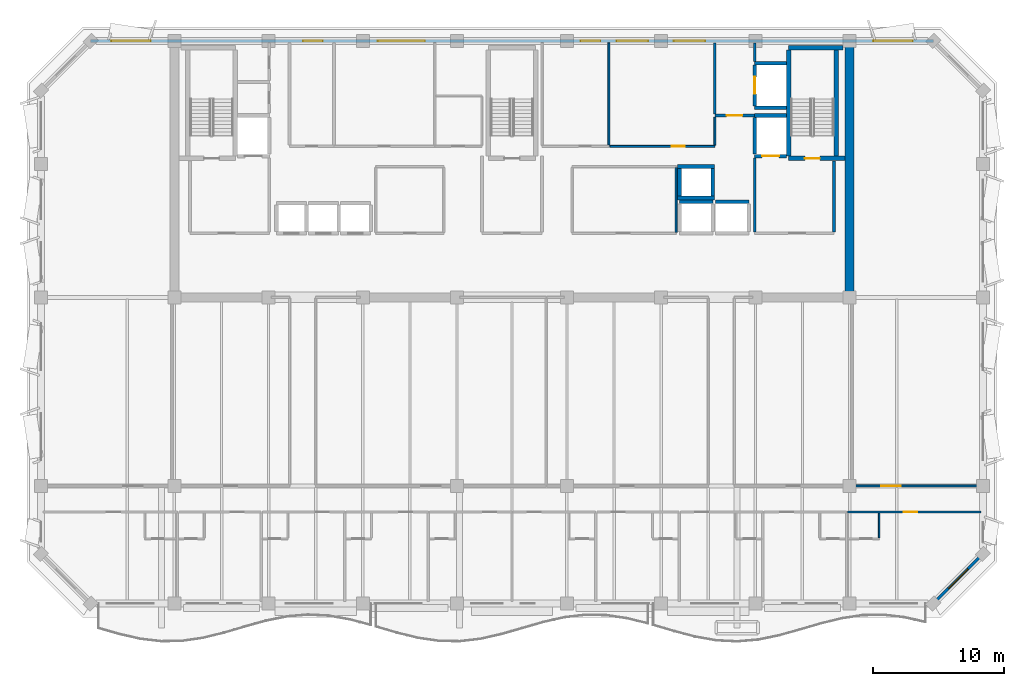
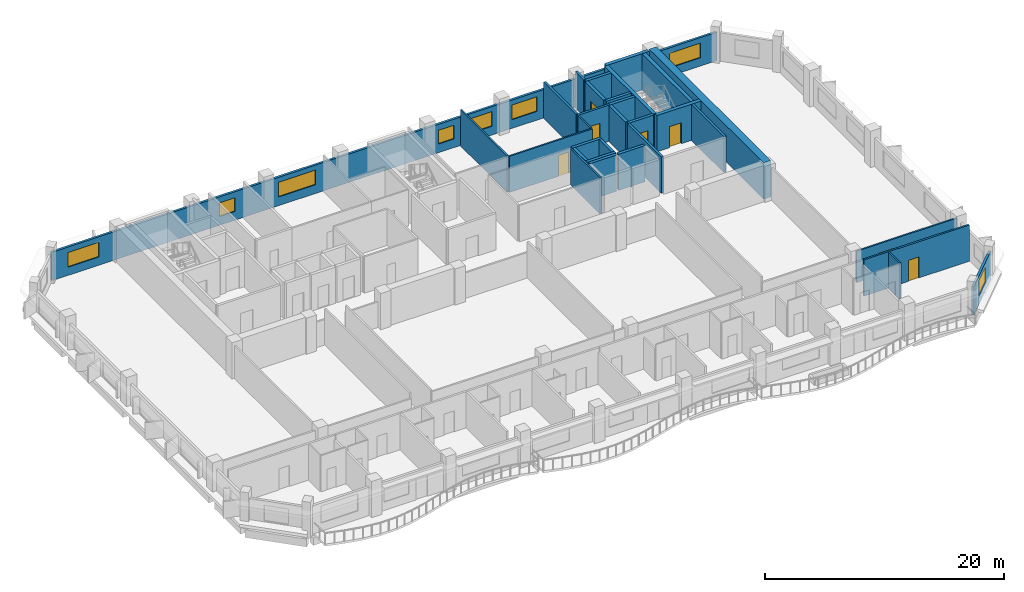
# One storey, part 7 of 11: 31 walls, 8 windows, 7 doors, 15 openings.
"""IFC4 building model written with IfcOpenShell, lengths in metres."""

from ifc_helpers import new_model, si_unit, direction, frame, frame_2d, origin, place, context, subcontext, project, spatial, rectangle, extrude, material, layer, layer_set, type_object, element, fill, save


model = new_model("IFC4")

# Units and contexts
model_context = context("Model", 3, precision=1e-05, world=origin(), true_north=direction((0.0, 1.0)))
body_context = subcontext(model_context, "Body", "Model", "MODEL_VIEW")
ifc_project = project(units=[si_unit("LENGTHUNIT", "METRE"), si_unit("AREAUNIT", "SQUARE_METRE"), si_unit("VOLUMEUNIT", "CUBIC_METRE"), si_unit("PLANEANGLEUNIT", "RADIAN"), si_unit("MASSUNIT", "GRAM", prefix="KILO")], contexts=[model_context])

# Site, building, storey
site_placement = place(None, origin())
site = spatial("IfcSite", under=ifc_project, at=site_placement, CompositionType="ELEMENT")
building_placement = place(site_placement, origin())
building = spatial("IfcBuilding", under=site, at=building_placement, Name="Kaelvorn Grand Hotel", CompositionType="ELEMENT")
storey_placement = place(building_placement, frame((0.0, 0.0, 233.10009765625)))
storey = spatial("IfcBuildingStorey", under=building, at=storey_placement, Name="L57", CompositionType="ELEMENT", Elevation=233.10009765625)

# Wall
ifc_material_1 = material(Name="Concrete C50/60", Category="concrete")
ifc_layer_1 = layer(ifc_material_1, 0.699951171875)
ifc_layer_set_1 = layer_set([ifc_layer_1], Name="Concrete C50/60")
wall_type_1 = type_object("IfcWallType", Name="WL-CORE-700-C50", PredefinedType="SHEAR", material=ifc_layer_set_1)
wall_1_placement = place(storey_placement, frame((67.800048828125, 29.39990234375, 0.0), z_axis=(0.0, 0.0, 1.0), x_axis=(0.0, 1.0, 0.0)))
element("IfcWall", 1, at=wall_1_placement, inside=storey, type_object=wall_type_1, Name="L57 Rear-Core East Shear Wall", PredefinedType="SHEAR", context=body_context, shape_type="SweptSolid", body=[
    extrude(rectangle(XDim=19.2001953125, YDim=0.699951171875, at=frame_2d((9.60009765625, 0.0))), origin(), (0.0, 0.0, 1.0), 3.7099609375),
])

# Wall, opening, window
ifc_material_2 = material(Name="Concrete C40/50", Category="concrete")
ifc_layer_2 = layer(ifc_material_2, 0.219970703125)
ifc_layer_set_2 = layer_set([ifc_layer_2], Name="Concrete C40/50")
wall_type_2 = type_object("IfcWallType", Name="WL-EXT-220-C40", PredefinedType="SOLIDWALL", material=ifc_layer_set_2)
wall_2_placement = place(storey_placement, frame((74.199951171875, 6.0, 0.0), z_axis=(0.0, 0.0, 1.0), x_axis=(0.707106781187, 0.707106781187, 0.0)))
wall_2 = element("IfcWall", 2, at=wall_2_placement, inside=storey, type_object=wall_type_2, Name="L57 Exterior Architectural Concrete Wall 02", PredefinedType="SOLIDWALL", context=body_context, shape_type="SweptSolid", body=[
    extrude(rectangle(XDim=5.3740234375, YDim=0.219970703125, at=frame_2d((2.68701171875, 0.0))), origin(), (0.0, 0.0, 1.0), 2.909912109375),
])
opening_1_placement = place(wall_2_placement, frame((1.636962890625, 0.0, 0.85009765625)))
opening_1 = element("IfcOpeningElement", 3, at=opening_1_placement, cuts=wall_2, Name="Opening W7", PredefinedType="OPENING", context=body_context, shape_type="SweptSolid", body=[
    extrude(rectangle(XDim=2.10009765625, YDim=1.60009765625, at=frame_2d((1.050048828125, 0.800048828125))), frame((0.0, 0.1201171875, 0.0), z_axis=(0.0, -1.0, 0.0), x_axis=(1.0, 0.0, 0.0)), (0.0, 0.0, 1.0), 0.239990234375),
])
ifc_material_3 = material(Name="Laminated Low-E Glass", Category="glass")
window_type_1 = type_object("IfcWindowType", Name="WIN-CHM-2100x1600", PartitioningType="SINGLE_PANEL", PredefinedType="WINDOW", material=ifc_material_3)
window_1_placement = place(opening_1_placement, origin())
window_1 = element("IfcWindow", 4, at=window_1_placement, inside=storey, type_object=window_type_1, Name="L57 Chamfered 45-Degree Corner Window SE", OverallHeight=1.60009765625, OverallWidth=2.10009765625, PartitioningType="SINGLE_PANEL", PredefinedType="WINDOW", context=body_context, shape_type="SweptSolid", body=[
    extrude(rectangle(XDim=2.10009765625, YDim=1.60009765625, at=frame_2d((1.050048828125, 0.800048828125))), frame((0.0, 0.030029296875, 0.0), z_axis=(0.0, -1.0, 0.0), x_axis=(1.0, 0.0, 0.0)), (0.0, 0.0, 1.0), 0.06005859375),
])
fill(opening_1, window_1)

# Wall, openings, windows
wall_3_placement = place(storey_placement, frame((74.199951171875, 49.0, 0.0), z_axis=(0.0, 0.0, 1.0), x_axis=(-1.0, 0.0, 0.0)))
wall_3 = element("IfcWall", 5, at=wall_3_placement, inside=storey, type_object=wall_type_2, Name="L57 Exterior Architectural Concrete Wall 05", PredefinedType="SOLIDWALL", context=body_context, shape_type="SweptSolid", body=[
    extrude(rectangle(XDim=64.39990234375, YDim=0.219970703125, at=frame_2d((32.199951171875, 0.0))), origin(), (0.0, 0.0, 1.0), 2.909912109375),
])
opening_2_placement = place(wall_3_placement, frame((59.81494140625, 0.0, 0.85009765625)))
opening_2 = element("IfcOpeningElement", 6, at=opening_2_placement, cuts=wall_3, Name="Opening W5", PredefinedType="OPENING", context=body_context, shape_type="SweptSolid", body=[
    extrude(rectangle(XDim=3.0, YDim=1.5, at=frame_2d((1.5, 0.75))), frame((0.0, 0.1201171875, 0.0), z_axis=(0.0, -1.0, 0.0), x_axis=(1.0, 0.0, 0.0)), (0.0, 0.0, 1.0), 0.239990234375),
])
opening_3_placement = place(wall_3_placement, frame((1.5849609375, 0.0, 0.85009765625)))
opening_3 = element("IfcOpeningElement", 7, at=opening_3_placement, cuts=wall_3, Name="Opening W5", PredefinedType="OPENING", context=body_context, shape_type="SweptSolid", body=[
    extrude(rectangle(XDim=3.0, YDim=1.5, at=frame_2d((1.5, 0.75))), frame((0.0, 0.1201171875, 0.0), z_axis=(0.0, -1.0, 0.0), x_axis=(1.0, 0.0, 0.0)), (0.0, 0.0, 1.0), 0.239990234375),
])
opening_4_placement = place(wall_3_placement, frame((46.6650390625, 0.0, 0.89990234375)))
opening_4 = element("IfcOpeningElement", 8, at=opening_4_placement, cuts=wall_3, Name="Opening W10", PredefinedType="OPENING", context=body_context, shape_type="SweptSolid", body=[
    extrude(rectangle(XDim=1.5, YDim=1.39990234375, at=frame_2d((0.75, 0.699951171875))), frame((0.0, 0.1201171875, 0.0), z_axis=(0.0, -1.0, 0.0), x_axis=(1.0, 0.0, 0.0)), (0.0, 0.0, 1.0), 0.239990234375),
])
opening_5_placement = place(wall_3_placement, frame((38.85009765625, 0.0, 0.89990234375)))
opening_5 = element("IfcOpeningElement", 9, at=opening_5_placement, cuts=wall_3, Name="Opening W3", PredefinedType="OPENING", context=body_context, shape_type="SweptSolid", body=[
    extrude(rectangle(XDim=3.60009765625, YDim=1.5, at=frame_2d((1.800048828125, 0.75))), frame((0.0, 0.1201171875, 0.0), z_axis=(0.0, -1.0, 0.0), x_axis=(1.0, 0.0, 0.0)), (0.0, 0.0, 1.0), 0.239990234375),
])
opening_6_placement = place(wall_3_placement, frame((25.449951171875, 0.0, 0.89990234375)))
opening_6 = element("IfcOpeningElement", 10, at=opening_6_placement, cuts=wall_3, Name="Opening W10", PredefinedType="OPENING", context=body_context, shape_type="SweptSolid", body=[
    extrude(rectangle(XDim=1.5, YDim=1.39990234375, at=frame_2d((0.75, 0.699951171875))), frame((0.0, 0.1201171875, 0.0), z_axis=(0.0, -1.0, 0.0), x_axis=(1.0, 0.0, 0.0)), (0.0, 0.0, 1.0), 0.239990234375),
])
opening_7_placement = place(wall_3_placement, frame((21.800048828125, 0.0, 0.89990234375)))
opening_7 = element("IfcOpeningElement", 11, at=opening_7_placement, cuts=wall_3, Name="Opening W6", PredefinedType="OPENING", context=body_context, shape_type="SweptSolid", body=[
    extrude(rectangle(XDim=2.39990234375, YDim=1.5, at=frame_2d((1.199951171875, 0.75))), frame((0.0, 0.1201171875, 0.0), z_axis=(0.0, -1.0, 0.0), x_axis=(1.0, 0.0, 0.0)), (0.0, 0.0, 1.0), 0.239990234375),
])
opening_8_placement = place(wall_3_placement, frame((17.43505859375, 0.0, 0.89990234375)))
opening_8 = element("IfcOpeningElement", 12, at=opening_8_placement, cuts=wall_3, Name="Opening W6", PredefinedType="OPENING", context=body_context, shape_type="SweptSolid", body=[
    extrude(rectangle(XDim=2.39990234375, YDim=1.5, at=frame_2d((1.199951171875, 0.75))), frame((0.0, 0.1201171875, 0.0), z_axis=(0.0, -1.0, 0.0), x_axis=(1.0, 0.0, 0.0)), (0.0, 0.0, 1.0), 0.239990234375),
])
window_type_2 = type_object("IfcWindowType", Name="WIN-COR-1500x1400", PartitioningType="SINGLE_PANEL", PredefinedType="WINDOW", material=ifc_material_3)
window_2_placement = place(opening_4_placement, origin())
window_2 = element("IfcWindow", 13, at=window_2_placement, inside=storey, type_object=window_type_2, Name="L57 North Core Clerestory Ribbon Window NC03", OverallHeight=1.39990234375, OverallWidth=1.5, PartitioningType="SINGLE_PANEL", PredefinedType="WINDOW", context=body_context, shape_type="SweptSolid", body=[
    extrude(rectangle(XDim=1.5, YDim=1.39990234375, at=frame_2d((0.75, 0.699951171875))), frame((0.0, 0.030029296875, 0.0), z_axis=(0.0, -1.0, 0.0), x_axis=(1.0, 0.0, 0.0)), (0.0, 0.0, 1.0), 0.06005859375),
])
fill(opening_4, window_2)
window_3_placement = place(opening_6_placement, origin())
window_3 = element("IfcWindow", 14, at=window_3_placement, inside=storey, type_object=window_type_2, Name="L57 North Core Clerestory Ribbon Window NC05", OverallHeight=1.39990234375, OverallWidth=1.5, PartitioningType="SINGLE_PANEL", PredefinedType="WINDOW", context=body_context, shape_type="SweptSolid", body=[
    extrude(rectangle(XDim=1.5, YDim=1.39990234375, at=frame_2d((0.75, 0.699951171875))), frame((0.0, 0.030029296875, 0.0), z_axis=(0.0, -1.0, 0.0), x_axis=(1.0, 0.0, 0.0)), (0.0, 0.0, 1.0), 0.06005859375),
])
fill(opening_6, window_3)
window_type_3 = type_object("IfcWindowType", Name="WIN-NTH-2400x1500", PartitioningType="SINGLE_PANEL", PredefinedType="WINDOW", material=ifc_material_3)
window_4_placement = place(opening_7_placement, origin())
window_4 = element("IfcWindow", 15, at=window_4_placement, inside=storey, type_object=window_type_3, Name="L57 North Core Clerestory Ribbon Window NC06", OverallHeight=1.5, OverallWidth=2.39990234375, PartitioningType="SINGLE_PANEL", PredefinedType="WINDOW", context=body_context, shape_type="SweptSolid", body=[
    extrude(rectangle(XDim=2.39990234375, YDim=1.5, at=frame_2d((1.199951171875, 0.75))), frame((0.0, 0.030029296875, 0.0), z_axis=(0.0, -1.0, 0.0), x_axis=(1.0, 0.0, 0.0)), (0.0, 0.0, 1.0), 0.06005859375),
])
fill(opening_7, window_4)
window_5_placement = place(opening_8_placement, origin())
window_5 = element("IfcWindow", 16, at=window_5_placement, inside=storey, type_object=window_type_3, Name="L57 North Core Clerestory Ribbon Window NC07", OverallHeight=1.5, OverallWidth=2.39990234375, PartitioningType="SINGLE_PANEL", PredefinedType="WINDOW", context=body_context, shape_type="SweptSolid", body=[
    extrude(rectangle(XDim=2.39990234375, YDim=1.5, at=frame_2d((1.199951171875, 0.75))), frame((0.0, 0.030029296875, 0.0), z_axis=(0.0, -1.0, 0.0), x_axis=(1.0, 0.0, 0.0)), (0.0, 0.0, 1.0), 0.06005859375),
])
fill(opening_8, window_5)
window_type_4 = type_object("IfcWindowType", Name="WIN-NTH-3000x1500", PartitioningType="SINGLE_PANEL", PredefinedType="WINDOW", material=ifc_material_3)
window_6_placement = place(opening_2_placement, origin())
window_6 = element("IfcWindow", 17, at=window_6_placement, inside=storey, type_object=window_type_4, Name="L57 North Wing Ribbon Window NW01", OverallHeight=1.5, OverallWidth=3.0, PartitioningType="SINGLE_PANEL", PredefinedType="WINDOW", context=body_context, shape_type="SweptSolid", body=[
    extrude(rectangle(XDim=3.0, YDim=1.5, at=frame_2d((1.5, 0.75))), frame((0.0, 0.030029296875, 0.0), z_axis=(0.0, -1.0, 0.0), x_axis=(1.0, 0.0, 0.0)), (0.0, 0.0, 1.0), 0.06005859375),
])
fill(opening_2, window_6)
window_7_placement = place(opening_3_placement, origin())
window_7 = element("IfcWindow", 18, at=window_7_placement, inside=storey, type_object=window_type_4, Name="L57 North Wing Ribbon Window NW02", OverallHeight=1.5, OverallWidth=3.0, PartitioningType="SINGLE_PANEL", PredefinedType="WINDOW", context=body_context, shape_type="SweptSolid", body=[
    extrude(rectangle(XDim=3.0, YDim=1.5, at=frame_2d((1.5, 0.75))), frame((0.0, 0.030029296875, 0.0), z_axis=(0.0, -1.0, 0.0), x_axis=(1.0, 0.0, 0.0)), (0.0, 0.0, 1.0), 0.06005859375),
])
fill(opening_3, window_7)
window_type_5 = type_object("IfcWindowType", Name="WIN-RIB-3600x1750", PartitioningType="SINGLE_PANEL", PredefinedType="WINDOW", material=ifc_material_3)
window_8_placement = place(opening_5_placement, origin())
window_8 = element("IfcWindow", 19, at=window_8_placement, inside=storey, type_object=window_type_5, Name="L57 North Core Clerestory Ribbon Window NC04", OverallHeight=1.5, OverallWidth=3.60009765625, PartitioningType="SINGLE_PANEL", PredefinedType="WINDOW", context=body_context, shape_type="SweptSolid", body=[
    extrude(rectangle(XDim=3.60009765625, YDim=1.5, at=frame_2d((1.800048828125, 0.75))), frame((0.0, 0.030029296875, 0.0), z_axis=(0.0, -1.0, 0.0), x_axis=(1.0, 0.0, 0.0)), (0.0, 0.0, 1.0), 0.06005859375),
])
fill(opening_5, window_8)

# Walls
ifc_material_4 = material(Name="Moisture-Resistant Tile & Stud Board")
ifc_layer_3 = layer(ifc_material_4, 0.125)
ifc_layer_set_3 = layer_set([ifc_layer_3], Name="Moisture-Resistant Tile & Stud Board")
wall_type_3 = type_object("IfcWallType", Name="WL-PART-125-WET", PredefinedType="PARTITIONING", material=ifc_layer_set_3)
wall_4_placement = place(storey_placement, frame((70.06005859375, 11.017578125, 0.0), z_axis=(0.0, 0.0, 1.0), x_axis=(0.0, 1.0, 0.0)))
element("IfcWall", 20, at=wall_4_placement, inside=storey, type_object=wall_type_3, Name="L57 En-suite Bathroom L57-10 E Partition", PredefinedType="PARTITIONING", context=body_context, shape_type="SweptSolid", body=[
    extrude(rectangle(XDim=1.887451171875, YDim=0.125, at=frame_2d((0.94384765625, 0.0))), origin(), (0.0, 0.0, 1.0), 3.7099609375),
])
ifc_material_5 = material(Name="Acoustic Gypsum & Stud Partition")
ifc_layer_4 = layer(ifc_material_5, 0.14990234375)
ifc_layer_set_4 = layer_set([ifc_layer_4], Name="Acoustic Gypsum & Stud Partition")
wall_type_4 = type_object("IfcWallType", Name="WL-PART-150-EI60", PredefinedType="PARTITIONING", material=ifc_layer_set_4)
wall_5_placement = place(storey_placement, frame((54.550048828125, 34.3798828125, 0.0), z_axis=(0.0, 0.0, 1.0), x_axis=(0.0, 1.0, 0.0)))
element("IfcWall", 21, at=wall_5_placement, inside=storey, type_object=wall_type_4, Name="L57 Sky Concierge & Butler Pantry Lounge E Partition", PredefinedType="PARTITIONING", context=body_context, shape_type="SweptSolid", body=[
    extrude(rectangle(XDim=4.940185546875, YDim=0.14990234375, at=frame_2d((2.47021484375, 0.0))), origin(), (0.0, 0.0, 1.0), 3.7099609375),
])
wall_6_placement = place(storey_placement, frame((49.39990234375, 41.030029296875, 0.0), z_axis=(0.0, 0.0, 1.0), x_axis=(0.0, 1.0, 0.0)))
element("IfcWall", 22, at=wall_6_placement, inside=storey, type_object=wall_type_4, Name="L57 Laundry Chute Vestibule E Partition", PredefinedType="PARTITIONING", context=body_context, shape_type="SweptSolid", body=[
    extrude(rectangle(XDim=7.820068359375, YDim=0.14990234375, at=frame_2d((3.91015625, 0.0))), origin(), (0.0, 0.0, 1.0), 3.7099609375),
])

# Wall, opening, door
wall_7_placement = place(storey_placement, frame((49.47998046875, 40.949951171875, 0.0), z_axis=(0.0, 0.0, 1.0), x_axis=(1.0, 0.0, 0.0)))
wall_7 = element("IfcWall", 23, at=wall_7_placement, inside=storey, type_object=wall_type_4, Name="L57 Butler Servery Pantry S Partition", PredefinedType="PARTITIONING", context=body_context, shape_type="SweptSolid", body=[
    extrude(rectangle(XDim=8.02001953125, YDim=0.14990234375, at=frame_2d((4.010009765625, 0.0))), origin(), (0.0, 0.0, 1.0), 3.7099609375),
])
opening_9_placement = place(wall_7_placement, frame((4.719970703125, 0.0, 0.0)))
opening_9 = element("IfcOpeningElement", 24, at=opening_9_placement, cuts=wall_7, Name="Opening DI3", PredefinedType="OPENING", context=body_context, shape_type="SweptSolid", body=[
    extrude(rectangle(XDim=1.0, YDim=2.14990234375, at=frame_2d((0.5, 1.074951171875))), frame((0.0, 0.0849609375, 0.0), z_axis=(0.0, -1.0, 0.0), x_axis=(1.0, 0.0, 0.0)), (0.0, 0.0, 1.0), 0.169921875),
])
ifc_material_6 = material(Name="Timber Veneer Fire Leaf", Category="wood")
door_type_1 = type_object("IfcDoorType", Name="DR-INT-GUEST-1000x2150", OperationType="NOTDEFINED", PredefinedType="DOOR", material=ifc_material_6)
door_1_placement = place(opening_9_placement, origin())
door_1 = element("IfcDoor", 25, at=door_1_placement, inside=storey, type_object=door_type_1, Name="L57 Butler Servery Pantry Door", OperationType="SINGLE_SWING_RIGHT", OverallHeight=2.14990234375, OverallWidth=1.0, PredefinedType="DOOR", context=body_context, shape_type="SweptSolid", body=[
    extrude(rectangle(XDim=1.0, YDim=2.14990234375, at=frame_2d((0.5, 1.074951171875))), frame((0.0, 0.02490234375, 0.0), z_axis=(0.0, -1.0, 0.0), x_axis=(1.0, 0.0, 0.0)), (0.0, 0.0, 1.0), 0.050048828125),
])
fill(opening_9, door_1)

# Wall
wall_8_placement = place(storey_placement, frame((57.5, 41.030029296875, 0.0), z_axis=(0.0, 0.0, 1.0), x_axis=(0.0, 1.0, 0.0)))
element("IfcWall", 26, at=wall_8_placement, inside=storey, type_object=wall_type_4, Name="L57 Butler Servery Pantry E Partition", PredefinedType="PARTITIONING", context=body_context, shape_type="SweptSolid", body=[
    extrude(rectangle(XDim=2.155029296875, YDim=0.14990234375, at=frame_2d((1.07763671875, 0.0))), origin(), (0.0, 0.0, 1.0), 3.7099609375),
])

# Wall, opening, door
wall_9_placement = place(storey_placement, frame((68.080078125, 15.0, 0.0), z_axis=(0.0, 0.0, 1.0), x_axis=(1.0, 0.0, 0.0)))
wall_9 = element("IfcWall", 27, at=wall_9_placement, inside=storey, type_object=wall_type_4, Name="L57 East Sky Executive Meeting Boardroom S Partition", PredefinedType="PARTITIONING", context=body_context, shape_type="SweptSolid", body=[
    extrude(rectangle(XDim=9.77001953125, YDim=0.14990234375, at=frame_2d((4.885009765625, 0.0))), origin(), (0.0, 0.0, 1.0), 3.2099609375),
])
opening_10_placement = place(wall_9_placement, frame((2.139892578125, 0.0, 0.0)))
opening_10 = element("IfcOpeningElement", 28, at=opening_10_placement, cuts=wall_9, Name="Opening DI5", PredefinedType="OPENING", context=body_context, shape_type="SweptSolid", body=[
    extrude(rectangle(XDim=1.5, YDim=2.25, at=frame_2d((0.75, 1.125))), frame((0.0, 0.0849609375, 0.0), z_axis=(0.0, -1.0, 0.0), x_axis=(1.0, 0.0, 0.0)), (0.0, 0.0, 1.0), 0.169921875),
])
door_type_2 = type_object("IfcDoorType", Name="DR-INT-SALON-1500x2250", OperationType="DOUBLE_DOOR_SINGLE_SWING", PredefinedType="DOOR", material=ifc_material_6)
door_2_placement = place(opening_10_placement, origin())
door_2 = element("IfcDoor", 29, at=door_2_placement, inside=storey, type_object=door_type_2, Name="L57 East Sky Executive Meeting Boardroom Door", OperationType="DOUBLE_DOOR_SINGLE_SWING", OverallHeight=2.25, OverallWidth=1.5, PredefinedType="DOOR", context=body_context, shape_type="SweptSolid", body=[
    extrude(rectangle(XDim=1.5, YDim=2.25, at=frame_2d((0.75, 1.125))), frame((0.0, 0.02490234375, 0.0), z_axis=(0.0, -1.0, 0.0), x_axis=(1.0, 0.0, 0.0)), (0.0, 0.0, 1.0), 0.050048828125),
])
fill(opening_10, door_2)

ifc_layer_5 = layer(ifc_material_5, 0.179931640625)
ifc_layer_set_5 = layer_set([ifc_layer_5], Name="Acoustic Gypsum & Stud Partition")
wall_type_5 = type_object("IfcWallType", Name="WL-PART-180-EI60", PredefinedType="PARTITIONING", material=ifc_layer_set_5)
wall_10_placement = place(storey_placement, frame((67.655029296875, 13.0, 0.0), z_axis=(0.0, 0.0, 1.0), x_axis=(1.0, 0.0, 0.0)))
wall_10 = element("IfcWall", 30, at=wall_10_placement, inside=storey, type_object=wall_type_5, Name="L57 Ambassador Guest Room L57-10 N Partition", PredefinedType="PARTITIONING", context=body_context, shape_type="SweptSolid", body=[
    extrude(rectangle(XDim=10.195068359375, YDim=0.179931640625, at=frame_2d((5.09765625, 0.0))), origin(), (0.0, 0.0, 1.0), 3.7099609375),
])
opening_11_placement = place(wall_10_placement, frame((4.300048828125, 0.0, 0.0)))
opening_11 = element("IfcOpeningElement", 31, at=opening_11_placement, cuts=wall_10, Name="Opening DI3", PredefinedType="OPENING", context=body_context, shape_type="SweptSolid", body=[
    extrude(rectangle(XDim=1.0, YDim=2.14990234375, at=frame_2d((0.5, 1.074951171875))), frame((0.0, 0.10009765625, 0.0), z_axis=(0.0, -1.0, 0.0), x_axis=(1.0, 0.0, 0.0)), (0.0, 0.0, 1.0), 0.199951171875),
])
door_3_placement = place(opening_11_placement, origin())
door_3 = element("IfcDoor", 32, at=door_3_placement, inside=storey, type_object=door_type_1, Name="L57 Ambassador Guest Room L57-10 Door", OperationType="SINGLE_SWING_LEFT", OverallHeight=2.14990234375, OverallWidth=1.0, PredefinedType="DOOR", context=body_context, shape_type="SweptSolid", body=[
    extrude(rectangle(XDim=1.0, YDim=2.14990234375, at=frame_2d((0.5, 1.074951171875))), frame((0.0, 0.02490234375, 0.0), z_axis=(0.0, -1.0, 0.0), x_axis=(1.0, 0.0, 0.0)), (0.0, 0.0, 1.0), 0.050048828125),
])
fill(opening_11, door_3)

# Walls
ifc_layer_6 = layer(ifc_material_2, 0.219970703125)
ifc_layer_set_6 = layer_set([ifc_layer_6], Name="Concrete C40/50")
wall_type_6 = type_object("IfcWallType", Name="WL-PART-220-EI120", PredefinedType="PARTITIONING", material=ifc_layer_set_6)
wall_11_placement = place(storey_placement, frame((60.550048828125, 34.4150390625, 0.0), z_axis=(0.0, 0.0, 1.0), x_axis=(0.0, 1.0, 0.0)))
element("IfcWall", 33, at=wall_11_placement, inside=storey, type_object=wall_type_6, Name="L57 Firefighting Lift Lobby 2 W Partition", PredefinedType="PARTITIONING", context=body_context, shape_type="SweptSolid", body=[
    extrude(rectangle(XDim=5.639892578125, YDim=0.219970703125, at=frame_2d((2.81982421875, 0.0))), origin(), (0.0, 0.0, 1.0), 3.7099609375),
])
wall_12_placement = place(storey_placement, frame((66.60009765625, 34.4150390625, 0.0), z_axis=(0.0, 0.0, 1.0), x_axis=(0.0, 1.0, 0.0)))
element("IfcWall", 34, at=wall_12_placement, inside=storey, type_object=wall_type_6, Name="L57 Firefighting Lift Lobby 2 E Partition", PredefinedType="PARTITIONING", context=body_context, shape_type="SweptSolid", body=[
    extrude(rectangle(XDim=5.429931640625, YDim=0.219970703125, at=frame_2d((2.71484375, 0.0))), origin(), (0.0, 0.0, 1.0), 3.7099609375),
])

# Wall, opening, door
wall_13_placement = place(storey_placement, frame((57.5, 43.300048828125, 0.0), z_axis=(0.0, 0.0, 1.0), x_axis=(1.0, 0.0, 0.0)))
wall_13 = element("IfcWall", 35, at=wall_13_placement, inside=storey, type_object=wall_type_6, Name="L57 Service Lift Lobby S Partition", PredefinedType="PARTITIONING", context=body_context, shape_type="SweptSolid", body=[
    extrude(rectangle(XDim=3.0400390625, YDim=0.219970703125, at=frame_2d((1.52001953125, 0.0))), origin(), (0.0, 0.0, 1.0), 3.7099609375),
])
opening_12_placement = place(wall_13_placement, frame((0.89990234375, 0.0, 0.0)))
opening_12 = element("IfcOpeningElement", 36, at=opening_12_placement, cuts=wall_13, Name="Opening DI2", PredefinedType="OPENING", context=body_context, shape_type="SweptSolid", body=[
    extrude(rectangle(XDim=1.199951171875, YDim=2.14990234375, at=frame_2d((0.60009765625, 1.074951171875))), frame((0.0, 0.1201171875, 0.0), z_axis=(0.0, -1.0, 0.0), x_axis=(1.0, 0.0, 0.0)), (0.0, 0.0, 1.0), 0.239990234375),
])
door_type_3 = type_object("IfcDoorType", Name="DR-INT-FFLOB-1200x2150", OperationType="NOTDEFINED", PredefinedType="DOOR", material=ifc_material_6)
door_4_placement = place(opening_12_placement, origin())
door_4 = element("IfcDoor", 37, at=door_4_placement, inside=storey, type_object=door_type_3, Name="L57 Service Lift Lobby Door", OperationType="SINGLE_SWING_LEFT", OverallHeight=2.14990234375, OverallWidth=1.199951171875, PredefinedType="DOOR", context=body_context, shape_type="SweptSolid", body=[
    extrude(rectangle(XDim=1.199951171875, YDim=2.14990234375, at=frame_2d((0.60009765625, 1.074951171875))), frame((0.0, 0.02490234375, 0.0), z_axis=(0.0, -1.0, 0.0), x_axis=(1.0, 0.0, 0.0)), (0.0, 0.0, 1.0), 0.050048828125),
])
fill(opening_12, door_4)

# Walls
wall_14_placement = place(storey_placement, frame((57.5, 43.4150390625, 0.0), z_axis=(0.0, 0.0, 1.0), x_axis=(0.0, 1.0, 0.0)))
element("IfcWall", 38, at=wall_14_placement, inside=storey, type_object=wall_type_6, Name="L57 Service Lift Lobby W Partition", PredefinedType="PARTITIONING", context=body_context, shape_type="SweptSolid", body=[
    extrude(rectangle(XDim=5.43505859375, YDim=0.219970703125, at=frame_2d((2.717529296875, 0.0))), origin(), (0.0, 0.0, 1.0), 3.7099609375),
])
wall_15_placement = place(storey_placement, frame((60.550048828125, 47.445068359375, 0.0), z_axis=(0.0, 0.0, 1.0), x_axis=(0.0, 1.0, 0.0)))
element("IfcWall", 39, at=wall_15_placement, inside=storey, type_object=wall_type_6, Name="L57 Service Lift Lobby E Partition", PredefinedType="PARTITIONING", context=body_context, shape_type="SweptSolid", body=[
    extrude(rectangle(XDim=1.405029296875, YDim=0.219970703125, at=frame_2d((0.70263671875, 0.0))), origin(), (0.0, 0.0, 1.0), 3.7099609375),
])
ifc_layer_7 = layer(ifc_material_1, 0.280029296875)
ifc_layer_set_7 = layer_set([ifc_layer_7], Name="Concrete C50/60")
wall_type_7 = type_object("IfcWallType", Name="WL-SHAFT-280-C50", PredefinedType="SHEAR", material=ifc_layer_set_7)
for number, where, z_axis, x_axis, name in (
    (40, (54.800048828125, 36.699951171875, 0.0), (0.0, 0.0, 1.0), (1.0, 0.0, 0.0), "L57 Lift OL-1 Shaft North Wall"),
    (41, (57.550048828125, 36.699951171875, 0.0), (0.0, 0.0, 1.0), (1.0, 0.0, 0.0), "L57 Lift OL-2 Shaft North Wall"),
):
    element("IfcWall", number, at=place(storey_placement, frame(where, z_axis=z_axis, x_axis=x_axis)), inside=storey, type_object=wall_type_7, Name=name, PredefinedType="SHEAR", context=body_context, shape_type="SweptSolid", body=[
        extrude(rectangle(XDim=2.550048828125, YDim=0.280029296875, at=frame_2d((1.27490234375, 0.0))), origin(), (0.0, 0.0, 1.0), 3.7099609375),
    ])
for number, where, z_axis, x_axis, name in (
    (42, (54.659912109375, 37.0, 0.0), (0.0, 0.0, 1.0), (1.0, 0.0, 0.0), "L57 Lift OL-3 Shaft South Wall"),
    (43, (54.659912109375, 39.39990234375, 0.0), (0.0, 0.0, 1.0), (1.0, 0.0, 0.0), "L57 Lift OL-3 Shaft North Wall"),
):
    element("IfcWall", number, at=place(storey_placement, frame(where, z_axis=z_axis, x_axis=x_axis)), inside=storey, type_object=wall_type_7, Name=name, PredefinedType="SHEAR", context=body_context, shape_type="SweptSolid", body=[
        extrude(rectangle(XDim=2.830078125, YDim=0.280029296875, at=frame_2d((1.4150390625, 0.0))), origin(), (0.0, 0.0, 1.0), 3.7099609375),
    ])
for number, where, z_axis, x_axis, name in (
    (44, (54.800048828125, 37.14501953125, 0.0), (0.0, 0.0, 1.0), (0.0, 1.0, 0.0), "L57 Lift OL-3 Shaft West Wall"),
    (45, (57.35009765625, 37.14501953125, 0.0), (0.0, 0.0, 1.0), (0.0, 1.0, 0.0), "L57 Lift OL-3 Shaft East Wall"),
):
    element("IfcWall", number, at=place(storey_placement, frame(where, z_axis=z_axis, x_axis=x_axis)), inside=storey, type_object=wall_type_7, Name=name, PredefinedType="SHEAR", context=body_context, shape_type="SweptSolid", body=[
        extrude(rectangle(XDim=2.10986328125, YDim=0.280029296875, at=frame_2d((1.054931640625, 0.0))), origin(), (0.0, 0.0, 1.0), 3.7099609375),
    ])

# Wall, opening, door
wall_16_placement = place(storey_placement, frame((60.550048828125, 40.199951171875, 0.0), z_axis=(0.0, 0.0, 1.0), x_axis=(1.0, 0.0, 0.0)))
wall_16 = element("IfcWall", 46, at=wall_16_placement, inside=storey, type_object=wall_type_7, Name="L57 Lift FFL2 Shaft South Wall", PredefinedType="SHEAR", context=body_context, shape_type="SweptSolid", body=[
    extrude(rectangle(XDim=2.4150390625, YDim=0.280029296875, at=frame_2d((1.20751953125, 0.0))), origin(), (0.0, 0.0, 1.0), 3.7099609375),
])
opening_13_placement = place(wall_16_placement, frame((0.574951171875, 0.0, 0.0)))
opening_13 = element("IfcOpeningElement", 47, at=opening_13_placement, cuts=wall_16, Name="Opening LD-FFL2", PredefinedType="OPENING", context=body_context, shape_type="SweptSolid", body=[
    extrude(rectangle(XDim=1.300048828125, YDim=2.300048828125, at=frame_2d((0.64990234375, 1.14990234375))), frame((0.0, 0.14990234375, 0.0), z_axis=(0.0, -1.0, 0.0), x_axis=(1.0, 0.0, 0.0)), (0.0, 0.0, 1.0), 0.300048828125),
])
ifc_material_7 = material(Name="Stainless Steel", Category="steel")
door_type_4 = type_object("IfcDoorType", Name="DR-LIFT-SERV-1300x2300", OperationType="DOUBLE_DOOR_SLIDING", PredefinedType="DOOR", material=ifc_material_7)
door_5_placement = place(opening_13_placement, origin())
door_5 = element("IfcDoor", 48, at=door_5_placement, inside=storey, type_object=door_type_4, Name="L57 Lift FFL2 Sliding Landing Door LD-FFL2", OperationType="DOUBLE_DOOR_SLIDING", OverallHeight=2.300048828125, OverallWidth=1.300048828125, PredefinedType="DOOR", context=body_context, shape_type="SweptSolid", body=[
    extrude(rectangle(XDim=1.300048828125, YDim=2.300048828125, at=frame_2d((0.64990234375, 1.14990234375))), frame((0.0, 0.02490234375, 0.0), z_axis=(0.0, -1.0, 0.0), x_axis=(1.0, 0.0, 0.0)), (0.0, 0.0, 1.0), 0.050048828125),
])
fill(opening_13, door_5)

# Walls
wall_17_placement = place(storey_placement, frame((60.550048828125, 43.300048828125, 0.0), z_axis=(0.0, 0.0, 1.0), x_axis=(1.0, 0.0, 0.0)))
element("IfcWall", 49, at=wall_17_placement, inside=storey, type_object=wall_type_7, Name="L57 Lift FFL2 Shaft North Wall", PredefinedType="SHEAR", context=body_context, shape_type="SweptSolid", body=[
    extrude(rectangle(XDim=2.4150390625, YDim=0.280029296875, at=frame_2d((1.20751953125, 0.0))), origin(), (0.0, 0.0, 1.0), 3.7099609375),
])
wall_18_placement = place(storey_placement, frame((60.550048828125, 40.344970703125, 0.0), z_axis=(0.0, 0.0, 1.0), x_axis=(0.0, 1.0, 0.0)))
element("IfcWall", 50, at=wall_18_placement, inside=storey, type_object=wall_type_7, Name="L57 Lift FFL2 Shaft West Wall", PredefinedType="SHEAR", context=body_context, shape_type="SweptSolid", body=[
    extrude(rectangle(XDim=2.81005859375, YDim=0.280029296875, at=frame_2d((1.405029296875, 0.0))), origin(), (0.0, 0.0, 1.0), 3.7099609375),
])
for number, where, z_axis, x_axis, name in (
    (51, (60.550048828125, 43.89990234375, 0.0), (0.0, 0.0, 1.0), (1.0, 0.0, 0.0), "L57 Lift SV1 Shaft South Wall"),
    (52, (60.550048828125, 47.300048828125, 0.0), (0.0, 0.0, 1.0), (1.0, 0.0, 0.0), "L57 Lift SV1 Shaft North Wall"),
):
    element("IfcWall", number, at=place(storey_placement, frame(where, z_axis=z_axis, x_axis=x_axis)), inside=storey, type_object=wall_type_7, Name=name, PredefinedType="SHEAR", context=body_context, shape_type="SweptSolid", body=[
        extrude(rectangle(XDim=2.4150390625, YDim=0.280029296875, at=frame_2d((1.20751953125, 0.0))), origin(), (0.0, 0.0, 1.0), 3.7099609375),
    ])

# Wall, opening, door
wall_19_placement = place(storey_placement, frame((60.550048828125, 44.044921875, 0.0), z_axis=(0.0, 0.0, 1.0), x_axis=(0.0, 1.0, 0.0)))
wall_19 = element("IfcWall", 53, at=wall_19_placement, inside=storey, type_object=wall_type_7, Name="L57 Lift SV1 Shaft West Wall", PredefinedType="SHEAR", context=body_context, shape_type="SweptSolid", body=[
    extrude(rectangle(XDim=3.110107421875, YDim=0.280029296875, at=frame_2d((1.55517578125, 0.0))), origin(), (0.0, 0.0, 1.0), 3.7099609375),
])
opening_14_placement = place(wall_19_placement, frame((0.905029296875, 0.0, 0.0)))
opening_14 = element("IfcOpeningElement", 54, at=opening_14_placement, cuts=wall_19, Name="Opening LD-SV1", PredefinedType="OPENING", context=body_context, shape_type="SweptSolid", body=[
    extrude(rectangle(XDim=1.300048828125, YDim=2.300048828125, at=frame_2d((0.64990234375, 1.14990234375))), frame((0.0, 0.14990234375, 0.0), z_axis=(0.0, -1.0, 0.0), x_axis=(1.0, 0.0, 0.0)), (0.0, 0.0, 1.0), 0.300048828125),
])
door_6_placement = place(opening_14_placement, origin())
door_6 = element("IfcDoor", 55, at=door_6_placement, inside=storey, type_object=door_type_4, Name="L57 Lift SV1 Sliding Landing Door LD-SV1", OperationType="DOUBLE_DOOR_SLIDING", OverallHeight=2.300048828125, OverallWidth=1.300048828125, PredefinedType="DOOR", context=body_context, shape_type="SweptSolid", body=[
    extrude(rectangle(XDim=1.300048828125, YDim=2.300048828125, at=frame_2d((0.64990234375, 1.14990234375))), frame((0.0, 0.02490234375, 0.0), z_axis=(0.0, -1.0, 0.0), x_axis=(1.0, 0.0, 0.0)), (0.0, 0.0, 1.0), 0.050048828125),
])
fill(opening_14, door_6)

ifc_material_8 = material(Name="Concrete C60/75", Category="concrete")
ifc_layer_8 = layer(ifc_material_8, 0.35009765625)
ifc_layer_set_8 = layer_set([ifc_layer_8], Name="Concrete C60/75")
wall_type_8 = type_object("IfcWallType", Name="WL-SHAFT-350-C60", PredefinedType="SHEAR", material=ifc_layer_set_8)
wall_20_placement = place(storey_placement, frame((63.14501953125, 40.02490234375, 0.0), z_axis=(0.0, 0.0, 1.0), x_axis=(1.0, 0.0, 0.0)))
wall_20 = element("IfcWall", 56, at=wall_20_placement, inside=storey, type_object=wall_type_8, Name="L57 ST3 Stair Shaft South Wall", PredefinedType="SHEAR", context=body_context, shape_type="SweptSolid", body=[
    extrude(rectangle(XDim=4.300048828125, YDim=0.35009765625, at=frame_2d((2.14990234375, 0.0))), origin(), (0.0, 0.0, 1.0), 3.7099609375),
])
opening_15_placement = place(wall_20_placement, frame((1.239990234375, 0.0, 0.0)))
opening_15 = element("IfcOpeningElement", 57, at=opening_15_placement, cuts=wall_20, Name="Opening DI1", PredefinedType="OPENING", context=body_context, shape_type="SweptSolid", body=[
    extrude(rectangle(XDim=1.14990234375, YDim=2.14990234375, at=frame_2d((0.574951171875, 1.074951171875))), frame((0.0, 0.18505859375, 0.0), z_axis=(0.0, -1.0, 0.0), x_axis=(1.0, 0.0, 0.0)), (0.0, 0.0, 1.0), 0.3701171875),
])
door_type_5 = type_object("IfcDoorType", Name="DR-INT-STAIR-1150x2150", OperationType="NOTDEFINED", PredefinedType="DOOR", material=ifc_material_6)
door_7_placement = place(opening_15_placement, origin())
door_7 = element("IfcDoor", 58, at=door_7_placement, inside=storey, type_object=door_type_5, Name="L57 ST3 Exit Stair Fire Door", OperationType="SINGLE_SWING_LEFT", OverallHeight=2.14990234375, OverallWidth=1.14990234375, PredefinedType="DOOR", context=body_context, shape_type="SweptSolid", body=[
    extrude(rectangle(XDim=1.14990234375, YDim=2.14990234375, at=frame_2d((0.574951171875, 1.074951171875))), frame((0.0, 0.02490234375, 0.0), z_axis=(0.0, -1.0, 0.0), x_axis=(1.0, 0.0, 0.0)), (0.0, 0.0, 1.0), 0.050048828125),
])
fill(opening_15, door_7)

# Walls
wall_21_placement = place(storey_placement, frame((63.14501953125, 48.47509765625, 0.0), z_axis=(0.0, 0.0, 1.0), x_axis=(1.0, 0.0, 0.0)))
element("IfcWall", 59, at=wall_21_placement, inside=storey, type_object=wall_type_8, Name="L57 ST3 Stair Shaft North Wall", PredefinedType="SHEAR", context=body_context, shape_type="SweptSolid", body=[
    extrude(rectangle(XDim=4.14990234375, YDim=0.35009765625, at=frame_2d((2.074951171875, 0.0))), origin(), (0.0, 0.0, 1.0), 3.7099609375),
])
for number, where, z_axis, x_axis, name in (
    (60, (63.14501953125, 40.205078125, 0.0), (0.0, 0.0, 1.0), (0.0, 1.0, 0.0), "L57 ST3 Stair Shaft West Wall"),
    (61, (66.77490234375, 40.205078125, 0.0), (0.0, 0.0, 1.0), (0.0, 1.0, 0.0), "L57 ST3 Stair Shaft East Wall"),
):
    element("IfcWall", number, at=place(storey_placement, frame(where, z_axis=z_axis, x_axis=x_axis)), inside=storey, type_object=wall_type_8, Name=name, PredefinedType="SHEAR", context=body_context, shape_type="SweptSolid", body=[
        extrude(rectangle(XDim=8.08984375, YDim=0.35009765625, at=frame_2d((4.044921875, 0.0))), origin(), (0.0, 0.0, 1.0), 3.7099609375),
    ])

save(model, "model.ifc")
